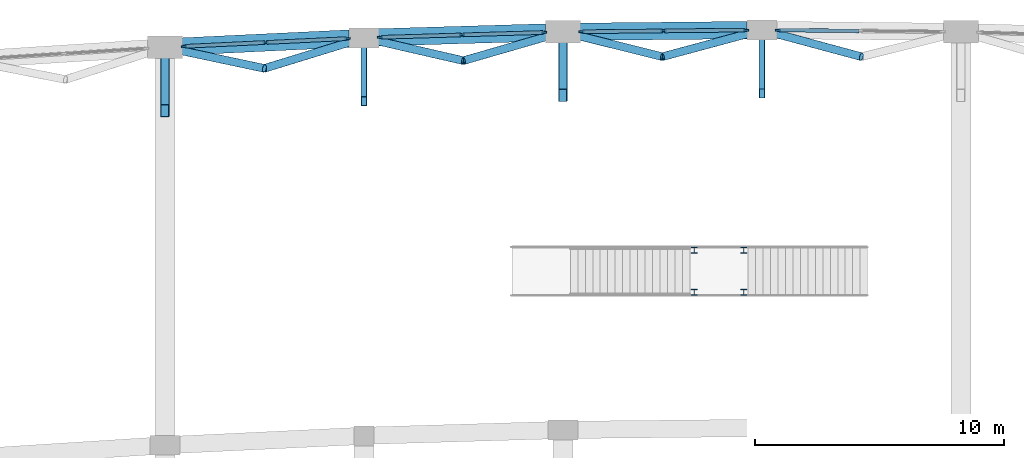
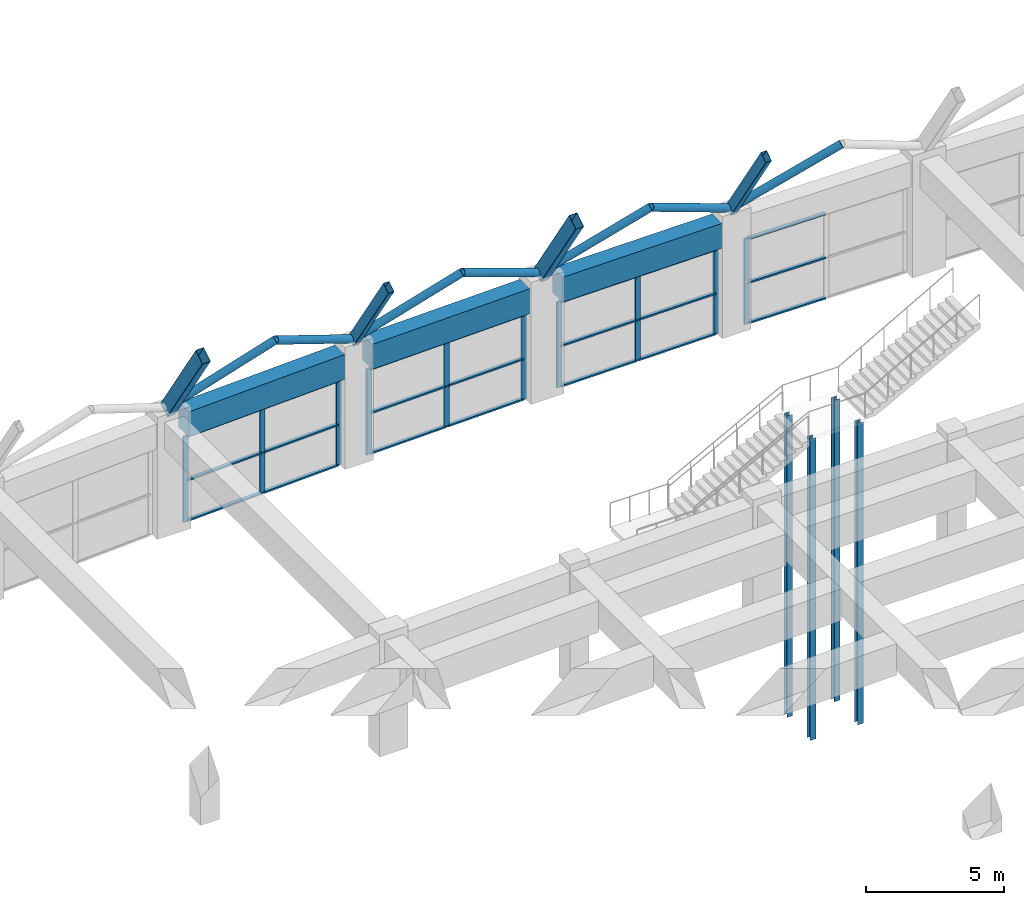
# One storey, part 30 of 69: 42 members, 7 beams, 4 elements without a shape of their own.
"""IFC4 building model written with IfcOpenShell, lengths in metres."""

from ifc_helpers import new_model, si_unit, direction, frame, origin, origin_2d, place, context, subcontext, project, spatial, rectangle, hollow_rectangle, hollow_circle, i_section, extrude, material, material_profile, profile_set, type_object, element, aggregate, save


model = new_model("IFC4")

# Units and contexts
model_context = context("Model", 3, precision=1e-05, world=origin(), true_north=direction((0.0, 1.0)))
body_context = subcontext(model_context, "Body", "Model", "MODEL_VIEW")
ifc_project = project(units=[si_unit("LENGTHUNIT", "METRE"), si_unit("AREAUNIT", "SQUARE_METRE"), si_unit("VOLUMEUNIT", "CUBIC_METRE"), si_unit("PLANEANGLEUNIT", "RADIAN"), si_unit("MASSUNIT", "GRAM", prefix="KILO")], contexts=[model_context])

# Site, building, storey
site_placement = place(None, origin())
site = spatial("IfcSite", under=ifc_project, at=site_placement, CompositionType="ELEMENT")
building_placement = place(site_placement, origin())
building = spatial("IfcBuilding", under=site, at=building_placement, Name="Kenh Van Central Station", CompositionType="ELEMENT")
storey_placement = place(building_placement, frame((0.0, 0.0, 5.39990234375)))
storey = spatial("IfcBuildingStorey", under=building, at=storey_placement, Name="L01", CompositionType="ELEMENT", Elevation=5.39990234375)

# Beams
ifc_material_1 = material(Name="Concrete C40/50", Category="concrete")
ifc_material_profile_1 = material_profile(ifc_material_1, rectangle(XDim=0.699951171875, YDim=1.10009765625, at=origin_2d()), Name="RC 700x1100")
ifc_profile_set_1 = profile_set([ifc_material_profile_1], Name="Concrete C40/50")
beam_type_1 = type_object("IfcBeamType", Name="BM-RC-700x1100", PredefinedType="BEAM", material=ifc_profile_set_1)
beam_1_placement = place(storey_placement, frame((64.689208984375, 114.53466796875, 4.530029296875), z_axis=(0.998866413286, 0.047601348815, 0.0), x_axis=(-0.047601348815, 0.998866413286, 0.0)))
element("IfcBeam", 1, at=beam_1_placement, inside=storey, type_object=beam_type_1, Name="L01 viaduct girder 1426", PredefinedType="BEAM", context=body_context, shape_type="SweptSolid", body=[
    extrude(rectangle(XDim=0.699951171875, YDim=1.10009765625, at=origin_2d()), origin(), (0.0, 0.0, 1.0), 6.72900390625),
])
beam_2_placement = place(storey_placement, frame((72.58984375, 114.900634765625, 4.530029296875), z_axis=(0.999563065499, 0.029558046112, 0.0), x_axis=(-0.029558046112, 0.999563065499, 0.0)))
element("IfcBeam", 2, at=beam_2_placement, inside=storey, type_object=beam_type_1, Name="L01 viaduct girder 1427", PredefinedType="BEAM", context=body_context, shape_type="SweptSolid", body=[
    extrude(rectangle(XDim=0.699951171875, YDim=1.10009765625, at=origin_2d()), origin(), (0.0, 0.0, 1.0), 6.723388671875),
])
beam_3_placement = place(storey_placement, frame((80.68994140625, 115.126708984375, 4.530029296875), z_axis=(0.99994973094, 0.010026743896, 0.0), x_axis=(-0.010026743896, 0.99994973094, 0.0)))
element("IfcBeam", 3, at=beam_3_placement, inside=storey, type_object=beam_type_1, Name="L01 viaduct girder 1428", PredefinedType="BEAM", context=body_context, shape_type="SweptSolid", body=[
    extrude(rectangle(XDim=0.699951171875, YDim=1.10009765625, at=origin_2d()), origin(), (0.0, 0.0, 1.0), 6.72021484375),
])
ifc_material_2 = material(Name="White fluoropolymer structural steel S355", Category="steel")
ifc_material_profile_2 = material_profile(ifc_material_2, hollow_rectangle(XDim=0.35009765625, YDim=0.60009765625, WallThickness=0.01611328125, InnerFilletRadius=0.01611328125, OuterFilletRadius=0.031982421875, at=origin_2d()), Name="RHS 600x350x16")
ifc_profile_set_2 = profile_set([ifc_material_profile_2], Name="White fluoropolymer structural steel S355")
beam_type_2 = type_object("IfcBeamType", Name="BM-VAULT-ARCH600", PredefinedType="BEAM", material=ifc_profile_set_2)
for number, where, z_axis, x_axis, name in (
    (4, (64.0, 111.949462890625, 9.161865234375), (0.0, 0.549413802018, -0.835550401922), (-1.0, 0.0, 0.0), "Vault transverse arch 060"),
    (5, (80.0, 112.5673828125, 9.161865234375), (0.0, 0.549413802018, -0.835550401922), (-1.0, 0.0, 0.0), "Vault transverse arch 082"),
):
    element("IfcBeam", number, at=place(storey_placement, frame(where, z_axis=z_axis, x_axis=x_axis)), inside=storey, type_object=beam_type_2, Name=name, PredefinedType="BEAM", context=body_context, shape_type="SweptSolid", body=[
        extrude(hollow_rectangle(XDim=0.35009765625, YDim=0.60009765625, WallThickness=0.01611328125, InnerFilletRadius=0.01611328125, OuterFilletRadius=0.031982421875, at=origin_2d()), origin(), (0.0, 0.0, 1.0), 4.645751953125),
    ])
ifc_material_profile_3 = material_profile(ifc_material_2, hollow_rectangle(XDim=0.25, YDim=0.449951171875, WallThickness=0.012451171875, InnerFilletRadius=0.012451171875, OuterFilletRadius=0.02490234375, at=origin_2d()), Name="RHS 450x250x12.5")
ifc_profile_set_3 = profile_set([ifc_material_profile_3], Name="White fluoropolymer structural steel S355")
beam_type_3 = type_object("IfcBeamType", Name="BM-VAULT-SUB450", PredefinedType="BEAM", material=ifc_profile_set_3)
for number, where, z_axis, x_axis, name in (
    (6, (72.0, 112.330810546875, 9.161865234375), (0.0, 0.5493771127, -0.835574525725), (-1.0, 0.0, 0.0), "Vault transverse arch 071"),
    (7, (88.0, 112.647705078125, 9.161865234375), (0.0, 0.5493771127, -0.835574525725), (-1.0, 0.0, 0.0), "Vault transverse arch 093"),
):
    element("IfcBeam", number, at=place(storey_placement, frame(where, z_axis=z_axis, x_axis=x_axis)), inside=storey, type_object=beam_type_3, Name=name, PredefinedType="BEAM", context=body_context, shape_type="SweptSolid", body=[
        extrude(hollow_rectangle(XDim=0.25, YDim=0.449951171875, WallThickness=0.012451171875, InnerFilletRadius=0.012451171875, OuterFilletRadius=0.02490234375, at=origin_2d()), origin(), (0.0, 0.0, 1.0), 4.645751953125),
    ])

# Curtain wall, members
ifc_material_3 = material(Name="Champagne anodised aluminium", Category="aluminium")
curtain_wall_type = type_object("IfcCurtainWallType", Name="CW-HALL-B", PredefinedType="NOTDEFINED", material=ifc_material_3)
curtain_wall_1_placement = place(storey_placement, origin())
curtain_wall_1 = element("IfcCurtainWall", 8, at=curtain_wall_1_placement, inside=storey, type_object=curtain_wall_type, Name="L01 curtain wall 084", PredefinedType="NOTDEFINED")
ifc_material_profile_4 = material_profile(ifc_material_3, rectangle(XDim=0.080078125, YDim=0.219970703125, at=origin_2d()), Name="AL 80x220")
ifc_profile_set_4 = profile_set([ifc_material_profile_4], Name="Champagne anodised aluminium")
member_type_1 = type_object("IfcMemberType", Name="CWM-80x220", PredefinedType="MULLION", material=ifc_profile_set_4)
member_1_placement = place(storey_placement, frame((71.34228515625, 114.851806640625, 0.0), z_axis=(0.0, 0.0, 1.0), x_axis=(0.047600764745, -0.99886644112, 0.0)))
member_1 = element("IfcMember", 9, at=member_1_placement, type_object=member_type_1, Name="CW-02 mullion 1", PredefinedType="MULLION", context=body_context, shape_type="SweptSolid", body=[
    extrude(rectangle(XDim=0.080078125, YDim=0.219970703125, at=origin_2d()), origin(), (0.0, 0.0, 1.0), 3.800048828125),
])
member_2_placement = place(storey_placement, frame((68.051025390625, 114.695068359375, 0.0), z_axis=(0.0, 0.0, 1.0), x_axis=(0.047600764745, -0.99886644112, 0.0)))
member_2 = element("IfcMember", 10, at=member_2_placement, type_object=member_type_1, Name="CW-02 mullion 2", PredefinedType="MULLION", context=body_context, shape_type="SweptSolid", body=[
    extrude(rectangle(XDim=0.080078125, YDim=0.219970703125, at=origin_2d()), origin(), (0.0, 0.0, 1.0), 3.800048828125),
])
member_3_placement = place(storey_placement, frame((64.759765625, 114.5380859375, 0.0), z_axis=(0.0, 0.0, 1.0), x_axis=(0.047600764745, -0.99886644112, 0.0)))
member_3 = element("IfcMember", 11, at=member_3_placement, type_object=member_type_1, Name="CW-02 mullion 3", PredefinedType="MULLION", context=body_context, shape_type="SweptSolid", body=[
    extrude(rectangle(XDim=0.080078125, YDim=0.219970703125, at=origin_2d()), origin(), (0.0, 0.0, 1.0), 3.800048828125),
])

curtain_wall_2_placement = place(storey_placement, origin())
curtain_wall_2 = element("IfcCurtainWall", 12, at=curtain_wall_2_placement, inside=storey, type_object=curtain_wall_type, Name="L01 curtain wall 086", PredefinedType="NOTDEFINED")
member_4_placement = place(storey_placement, frame((79.247314453125, 115.097412109375, 0.0), z_axis=(0.0, 0.0, 1.0), x_axis=(0.029570645876, -0.999562692832, 0.0)))
member_4 = element("IfcMember", 13, at=member_4_placement, type_object=member_type_1, Name="CW-02 mullion 1", PredefinedType="MULLION", context=body_context, shape_type="SweptSolid", body=[
    extrude(rectangle(XDim=0.080078125, YDim=0.219970703125, at=origin_2d()), origin(), (0.0, 0.0, 1.0), 3.800048828125),
])
member_5_placement = place(storey_placement, frame((75.94921875, 115.0, 0.0), z_axis=(0.0, 0.0, 1.0), x_axis=(0.029570645876, -0.999562692832, 0.0)))
member_5 = element("IfcMember", 14, at=member_5_placement, type_object=member_type_1, Name="CW-02 mullion 2", PredefinedType="MULLION", context=body_context, shape_type="SweptSolid", body=[
    extrude(rectangle(XDim=0.080078125, YDim=0.219970703125, at=origin_2d()), origin(), (0.0, 0.0, 1.0), 3.800048828125),
])
member_6_placement = place(storey_placement, frame((72.6513671875, 114.90234375, 0.0), z_axis=(0.0, 0.0, 1.0), x_axis=(0.029570645876, -0.999562692832, 0.0)))
member_6 = element("IfcMember", 15, at=member_6_placement, type_object=member_type_1, Name="CW-02 mullion 3", PredefinedType="MULLION", context=body_context, shape_type="SweptSolid", body=[
    extrude(rectangle(XDim=0.080078125, YDim=0.219970703125, at=origin_2d()), origin(), (0.0, 0.0, 1.0), 3.800048828125),
])

curtain_wall_3_placement = place(storey_placement, origin())
curtain_wall_3 = element("IfcCurtainWall", 16, at=curtain_wall_3_placement, inside=storey, type_object=curtain_wall_type, Name="L01 curtain wall 088", PredefinedType="NOTDEFINED")
member_7_placement = place(storey_placement, frame((87.356201171875, 115.193603515625, 0.0), z_axis=(0.0, 0.0, 1.0), x_axis=(0.010011901592, -0.999949879657, 0.0)))
member_7 = element("IfcMember", 17, at=member_7_placement, type_object=member_type_1, Name="CW-02 mullion 1", PredefinedType="MULLION", context=body_context, shape_type="SweptSolid", body=[
    extrude(rectangle(XDim=0.080078125, YDim=0.219970703125, at=origin_2d()), origin(), (0.0, 0.0, 1.0), 3.800048828125),
])
member_8_placement = place(storey_placement, frame((84.05029296875, 115.160400390625, 0.0), z_axis=(0.0, 0.0, 1.0), x_axis=(0.010011901592, -0.999949879657, 0.0)))
member_8 = element("IfcMember", 18, at=member_8_placement, type_object=member_type_1, Name="CW-02 mullion 2", PredefinedType="MULLION", context=body_context, shape_type="SweptSolid", body=[
    extrude(rectangle(XDim=0.080078125, YDim=0.219970703125, at=origin_2d()), origin(), (0.0, 0.0, 1.0), 3.800048828125),
])
member_9_placement = place(storey_placement, frame((80.744384765625, 115.127197265625, 0.0), z_axis=(0.0, 0.0, 1.0), x_axis=(0.010011901592, -0.999949879657, 0.0)))
member_9 = element("IfcMember", 19, at=member_9_placement, type_object=member_type_1, Name="CW-02 mullion 3", PredefinedType="MULLION", context=body_context, shape_type="SweptSolid", body=[
    extrude(rectangle(XDim=0.080078125, YDim=0.219970703125, at=origin_2d()), origin(), (0.0, 0.0, 1.0), 3.800048828125),
])

# Curtain wall, member
curtain_wall_4_placement = place(storey_placement, origin())
curtain_wall_4 = element("IfcCurtainWall", 20, at=curtain_wall_4_placement, inside=storey, type_object=curtain_wall_type, Name="L01 curtain wall 090", PredefinedType="NOTDEFINED")
member_10_placement = place(storey_placement, frame((88.643798828125, 115.193603515625, 0.0), z_axis=(0.0, 0.0, 1.0), x_axis=(-0.010011901592, -0.999949879657, 0.0)))
member_10 = element("IfcMember", 21, at=member_10_placement, type_object=member_type_1, Name="CW-02 mullion 3", PredefinedType="MULLION", context=body_context, shape_type="SweptSolid", body=[
    extrude(rectangle(XDim=0.080078125, YDim=0.219970703125, at=origin_2d()), origin(), (0.0, 0.0, 1.0), 3.800048828125),
])

# Member
ifc_material_profile_5 = material_profile(ifc_material_3, rectangle(XDim=0.14990234375, YDim=0.070068359375, at=origin_2d()), Name="AL 150x70")
ifc_profile_set_5 = profile_set([ifc_material_profile_5], Name="Champagne anodised aluminium")
member_type_2 = type_object("IfcMemberType", Name="CWT-150x70", PredefinedType="USERDEFINED", material=ifc_profile_set_5)
member_11_placement = place(storey_placement, frame((71.302490234375, 114.849853515625, 0.03515625), z_axis=(-0.998865903203, -0.047612051187, 0.0), x_axis=(0.047612051187, -0.998865903203, 0.0)))
member_11 = element("IfcMember", 22, at=member_11_placement, type_object=member_type_2, Name="CW-02 transom 1.1", ObjectType="TRANSOM", PredefinedType="USERDEFINED", context=body_context, shape_type="SweptSolid", body=[
    extrude(rectangle(XDim=0.14990234375, YDim=0.070068359375, at=origin_2d()), origin(), (0.0, 0.0, 1.0), 3.215087890625),
])

member_12_placement = place(storey_placement, frame((71.302490234375, 114.849853515625, 1.82421875), z_axis=(-0.998865903203, -0.047612051187, 0.0), x_axis=(0.047612051187, -0.998865903203, 0.0)))
member_12 = element("IfcMember", 23, at=member_12_placement, type_object=member_type_2, Name="CW-02 transom 1.2", ObjectType="TRANSOM", PredefinedType="USERDEFINED", context=body_context, shape_type="SweptSolid", body=[
    extrude(rectangle(XDim=0.14990234375, YDim=0.070068359375, at=origin_2d()), origin(), (0.0, 0.0, 1.0), 3.215087890625),
])

member_13_placement = place(storey_placement, frame((71.302490234375, 114.849853515625, 3.76513671875), z_axis=(-0.998865903203, -0.047612051187, 0.0), x_axis=(0.047612051187, -0.998865903203, 0.0)))
member_13 = element("IfcMember", 24, at=member_13_placement, type_object=member_type_2, Name="CW-02 transom 1.3", ObjectType="TRANSOM", PredefinedType="USERDEFINED", context=body_context, shape_type="SweptSolid", body=[
    extrude(rectangle(XDim=0.14990234375, YDim=0.070068359375, at=origin_2d()), origin(), (0.0, 0.0, 1.0), 3.215087890625),
])

member_14_placement = place(storey_placement, frame((68.010986328125, 114.693115234375, 0.03515625), z_axis=(-0.998865731043, -0.047615662842, 0.0), x_axis=(0.047615662842, -0.998865731043, 0.0)))
member_14 = element("IfcMember", 25, at=member_14_placement, type_object=member_type_2, Name="CW-02 transom 2.1", ObjectType="TRANSOM", PredefinedType="USERDEFINED", context=body_context, shape_type="SweptSolid", body=[
    extrude(rectangle(XDim=0.14990234375, YDim=0.070068359375, at=origin_2d()), origin(), (0.0, 0.0, 1.0), 3.21484375),
])

member_15_placement = place(storey_placement, frame((68.010986328125, 114.693115234375, 1.82421875), z_axis=(-0.998865731043, -0.047615662842, 0.0), x_axis=(0.047615662842, -0.998865731043, 0.0)))
member_15 = element("IfcMember", 26, at=member_15_placement, type_object=member_type_2, Name="CW-02 transom 2.2", ObjectType="TRANSOM", PredefinedType="USERDEFINED", context=body_context, shape_type="SweptSolid", body=[
    extrude(rectangle(XDim=0.14990234375, YDim=0.070068359375, at=origin_2d()), origin(), (0.0, 0.0, 1.0), 3.21484375),
])

member_16_placement = place(storey_placement, frame((68.010986328125, 114.693115234375, 3.76513671875), z_axis=(-0.998865731043, -0.047615662842, 0.0), x_axis=(0.047615662842, -0.998865731043, 0.0)))
member_16 = element("IfcMember", 27, at=member_16_placement, type_object=member_type_2, Name="CW-02 transom 2.3", ObjectType="TRANSOM", PredefinedType="USERDEFINED", context=body_context, shape_type="SweptSolid", body=[
    extrude(rectangle(XDim=0.14990234375, YDim=0.070068359375, at=origin_2d()), origin(), (0.0, 0.0, 1.0), 3.21484375),
])

aggregate(curtain_wall_1, [member_1, member_2, member_3, member_11, member_12, member_13, member_14, member_15, member_16])

member_17_placement = place(storey_placement, frame((79.207275390625, 115.096435546875, 0.03515625), z_axis=(-0.999562561041, -0.029575100433, 0.0), x_axis=(0.029575100433, -0.999562561041, 0.0)))
member_17 = element("IfcMember", 28, at=member_17_placement, type_object=member_type_2, Name="CW-02 transom 1.1", ObjectType="TRANSOM", PredefinedType="USERDEFINED", context=body_context, shape_type="SweptSolid", body=[
    extrude(rectangle(XDim=0.14990234375, YDim=0.070068359375, at=origin_2d()), origin(), (0.0, 0.0, 1.0), 3.219482421875),
])

member_18_placement = place(storey_placement, frame((79.207275390625, 115.096435546875, 1.82421875), z_axis=(-0.999562561041, -0.029575100433, 0.0), x_axis=(0.029575100433, -0.999562561041, 0.0)))
member_18 = element("IfcMember", 29, at=member_18_placement, type_object=member_type_2, Name="CW-02 transom 1.2", ObjectType="TRANSOM", PredefinedType="USERDEFINED", context=body_context, shape_type="SweptSolid", body=[
    extrude(rectangle(XDim=0.14990234375, YDim=0.070068359375, at=origin_2d()), origin(), (0.0, 0.0, 1.0), 3.219482421875),
])

member_19_placement = place(storey_placement, frame((79.207275390625, 115.096435546875, 3.76513671875), z_axis=(-0.999562561041, -0.029575100433, 0.0), x_axis=(0.029575100433, -0.999562561041, 0.0)))
member_19 = element("IfcMember", 30, at=member_19_placement, type_object=member_type_2, Name="CW-02 transom 1.3", ObjectType="TRANSOM", PredefinedType="USERDEFINED", context=body_context, shape_type="SweptSolid", body=[
    extrude(rectangle(XDim=0.14990234375, YDim=0.070068359375, at=origin_2d()), origin(), (0.0, 0.0, 1.0), 3.219482421875),
])

member_20_placement = place(storey_placement, frame((75.909423828125, 114.998779296875, 0.03515625), z_axis=(-0.999562627364, -0.029572858798, 0.0), x_axis=(0.029572858798, -0.999562627364, 0.0)))
member_20 = element("IfcMember", 31, at=member_20_placement, type_object=member_type_2, Name="CW-02 transom 2.1", ObjectType="TRANSOM", PredefinedType="USERDEFINED", context=body_context, shape_type="SweptSolid", body=[
    extrude(rectangle(XDim=0.14990234375, YDim=0.070068359375, at=origin_2d()), origin(), (0.0, 0.0, 1.0), 3.2197265625),
])

member_21_placement = place(storey_placement, frame((75.909423828125, 114.998779296875, 1.82421875), z_axis=(-0.999562627364, -0.029572858798, 0.0), x_axis=(0.029572858798, -0.999562627364, 0.0)))
member_21 = element("IfcMember", 32, at=member_21_placement, type_object=member_type_2, Name="CW-02 transom 2.2", ObjectType="TRANSOM", PredefinedType="USERDEFINED", context=body_context, shape_type="SweptSolid", body=[
    extrude(rectangle(XDim=0.14990234375, YDim=0.070068359375, at=origin_2d()), origin(), (0.0, 0.0, 1.0), 3.2197265625),
])

member_22_placement = place(storey_placement, frame((75.909423828125, 114.998779296875, 3.76513671875), z_axis=(-0.999562627364, -0.029572858798, 0.0), x_axis=(0.029572858798, -0.999562627364, 0.0)))
member_22 = element("IfcMember", 33, at=member_22_placement, type_object=member_type_2, Name="CW-02 transom 2.3", ObjectType="TRANSOM", PredefinedType="USERDEFINED", context=body_context, shape_type="SweptSolid", body=[
    extrude(rectangle(XDim=0.14990234375, YDim=0.070068359375, at=origin_2d()), origin(), (0.0, 0.0, 1.0), 3.2197265625),
])

aggregate(curtain_wall_2, [member_4, member_5, member_6, member_17, member_18, member_19, member_20, member_21, member_22])

member_23_placement = place(storey_placement, frame((87.316162109375, 115.193115234375, 0.03515625), z_axis=(-0.999950102075, -0.009989662717, 0.0), x_axis=(0.009989662717, -0.999950102075, 0.0)))
member_23 = element("IfcMember", 34, at=member_23_placement, type_object=member_type_2, Name="CW-02 transom 1.1", ObjectType="TRANSOM", PredefinedType="USERDEFINED", context=body_context, shape_type="SweptSolid", body=[
    extrude(rectangle(XDim=0.14990234375, YDim=0.070068359375, at=origin_2d()), origin(), (0.0, 0.0, 1.0), 3.22607421875),
])

member_24_placement = place(storey_placement, frame((87.316162109375, 115.193115234375, 1.82421875), z_axis=(-0.999950102075, -0.009989662717, 0.0), x_axis=(0.009989662717, -0.999950102075, 0.0)))
member_24 = element("IfcMember", 35, at=member_24_placement, type_object=member_type_2, Name="CW-02 transom 1.2", ObjectType="TRANSOM", PredefinedType="USERDEFINED", context=body_context, shape_type="SweptSolid", body=[
    extrude(rectangle(XDim=0.14990234375, YDim=0.070068359375, at=origin_2d()), origin(), (0.0, 0.0, 1.0), 3.22607421875),
])

member_25_placement = place(storey_placement, frame((87.316162109375, 115.193115234375, 3.76513671875), z_axis=(-0.999950102075, -0.009989662717, 0.0), x_axis=(0.009989662717, -0.999950102075, 0.0)))
member_25 = element("IfcMember", 36, at=member_25_placement, type_object=member_type_2, Name="CW-02 transom 1.3", ObjectType="TRANSOM", PredefinedType="USERDEFINED", context=body_context, shape_type="SweptSolid", body=[
    extrude(rectangle(XDim=0.14990234375, YDim=0.070068359375, at=origin_2d()), origin(), (0.0, 0.0, 1.0), 3.22607421875),
])

member_26_placement = place(storey_placement, frame((84.01025390625, 115.159912109375, 0.03515625), z_axis=(-0.999950102075, -0.009989662717, 0.0), x_axis=(0.009989662717, -0.999950102075, 0.0)))
member_26 = element("IfcMember", 37, at=member_26_placement, type_object=member_type_2, Name="CW-02 transom 2.1", ObjectType="TRANSOM", PredefinedType="USERDEFINED", context=body_context, shape_type="SweptSolid", body=[
    extrude(rectangle(XDim=0.14990234375, YDim=0.070068359375, at=origin_2d()), origin(), (0.0, 0.0, 1.0), 3.22607421875),
])

member_27_placement = place(storey_placement, frame((84.01025390625, 115.159912109375, 1.82421875), z_axis=(-0.999950102075, -0.009989662717, 0.0), x_axis=(0.009989662717, -0.999950102075, 0.0)))
member_27 = element("IfcMember", 38, at=member_27_placement, type_object=member_type_2, Name="CW-02 transom 2.2", ObjectType="TRANSOM", PredefinedType="USERDEFINED", context=body_context, shape_type="SweptSolid", body=[
    extrude(rectangle(XDim=0.14990234375, YDim=0.070068359375, at=origin_2d()), origin(), (0.0, 0.0, 1.0), 3.22607421875),
])

member_28_placement = place(storey_placement, frame((84.01025390625, 115.159912109375, 3.76513671875), z_axis=(-0.999950102075, -0.009989662717, 0.0), x_axis=(0.009989662717, -0.999950102075, 0.0)))
member_28 = element("IfcMember", 39, at=member_28_placement, type_object=member_type_2, Name="CW-02 transom 2.3", ObjectType="TRANSOM", PredefinedType="USERDEFINED", context=body_context, shape_type="SweptSolid", body=[
    extrude(rectangle(XDim=0.14990234375, YDim=0.070068359375, at=origin_2d()), origin(), (0.0, 0.0, 1.0), 3.22607421875),
])

aggregate(curtain_wall_3, [member_7, member_8, member_9, member_23, member_24, member_25, member_26, member_27, member_28])

member_29_placement = place(storey_placement, frame((91.90966796875, 115.160888671875, 0.03515625), z_axis=(-0.999950102075, 0.009989662717, 0.0), x_axis=(-0.009989662717, -0.999950102075, 0.0)))
member_29 = element("IfcMember", 40, at=member_29_placement, type_object=member_type_2, Name="CW-02 transom 2.1", ObjectType="TRANSOM", PredefinedType="USERDEFINED", context=body_context, shape_type="SweptSolid", body=[
    extrude(rectangle(XDim=0.14990234375, YDim=0.070068359375, at=origin_2d()), origin(), (0.0, 0.0, 1.0), 3.22607421875),
])

member_30_placement = place(storey_placement, frame((91.90966796875, 115.160888671875, 1.82421875), z_axis=(-0.999950102075, 0.009989662717, 0.0), x_axis=(-0.009989662717, -0.999950102075, 0.0)))
member_30 = element("IfcMember", 41, at=member_30_placement, type_object=member_type_2, Name="CW-02 transom 2.2", ObjectType="TRANSOM", PredefinedType="USERDEFINED", context=body_context, shape_type="SweptSolid", body=[
    extrude(rectangle(XDim=0.14990234375, YDim=0.070068359375, at=origin_2d()), origin(), (0.0, 0.0, 1.0), 3.22607421875),
])

member_31_placement = place(storey_placement, frame((91.90966796875, 115.160888671875, 3.76513671875), z_axis=(-0.999950102075, 0.009989662717, 0.0), x_axis=(-0.009989662717, -0.999950102075, 0.0)))
member_31 = element("IfcMember", 42, at=member_31_placement, type_object=member_type_2, Name="CW-02 transom 2.3", ObjectType="TRANSOM", PredefinedType="USERDEFINED", context=body_context, shape_type="SweptSolid", body=[
    extrude(rectangle(XDim=0.14990234375, YDim=0.070068359375, at=origin_2d()), origin(), (0.0, 0.0, 1.0), 3.22607421875),
])

aggregate(curtain_wall_4, [member_10, member_29, member_30, member_31])

# Members
ifc_material_4 = material(Name="Steel S355", Category="steel")
ifc_material_profile_6 = material_profile(ifc_material_4, i_section(OverallWidth=0.239990234375, OverallDepth=0.22998046875, WebThickness=0.007568359375, FlangeThickness=0.011962890625, FilletRadius=0.02099609375, at=origin_2d()), Name="HEA 240")
ifc_profile_set_6 = profile_set([ifc_material_profile_6], Name="Steel S355")
member_type_3 = type_object("IfcMemberType", Name="MEM-ROOF-POST240", PredefinedType="POST", material=ifc_profile_set_6)
for number, where, z_axis, x_axis, name in (
    (43, (85.280029296875, 104.655029296875, -10.7998046875), (0.0, 0.0, 1.0), (1.0, 0.0, 0.0), "Island Platform 2 Central Transfer Stair mid-landing support post 11"),
    (44, (85.280029296875, 106.344970703125, -10.7998046875), (0.0, 0.0, 1.0), (1.0, 0.0, 0.0), "Island Platform 2 Central Transfer Stair mid-landing support post 12"),
    (45, (87.27001953125, 104.655029296875, -10.7998046875), (0.0, 0.0, 1.0), (1.0, 0.0, 0.0), "Island Platform 2 Central Transfer Stair mid-landing support post 21"),
    (46, (87.27001953125, 106.344970703125, -10.7998046875), (0.0, 0.0, 1.0), (1.0, 0.0, 0.0), "Island Platform 2 Central Transfer Stair mid-landing support post 22"),
):
    element("IfcMember", number, at=place(storey_placement, frame(where, z_axis=z_axis, x_axis=x_axis)), inside=storey, type_object=member_type_3, Name=name, PredefinedType="POST", context=body_context, shape_type="SweptSolid", body=[
        extrude(i_section(OverallWidth=0.239990234375, OverallDepth=0.22998046875, WebThickness=0.007568359375, FlangeThickness=0.011962890625, FilletRadius=0.02099609375, at=origin_2d()), origin(), (0.0, 0.0, 1.0), 13.349853515625),
    ])
ifc_material_profile_7 = material_profile(ifc_material_2, hollow_circle(Radius=0.161865234375, WallThickness=0.010009765625, at=origin_2d()), Name="CHS 323.9x10")
ifc_profile_set_7 = profile_set([ifc_material_profile_7], Name="White fluoropolymer structural steel S355")
member_type_4 = type_object("IfcMemberType", Name="MEM-VAULT-CHD324", PredefinedType="CHORD", material=ifc_profile_set_7)
member_32_placement = place(storey_placement, frame((64.0, 114.501953125, 5.340087890625), z_axis=(0.871187207481, -0.184669993383, 0.454895419922), x_axis=(0.207367422574, 0.978263130275, 0.0)))
element("IfcMember", 47, at=member_32_placement, inside=storey, type_object=member_type_4, Name="Vault diamond grid member 0214", PredefinedType="CHORD", context=body_context, shape_type="SweptSolid", body=[
    extrude(hollow_circle(Radius=0.161865234375, WallThickness=0.010009765625, at=origin_2d()), origin(), (0.0, 0.0, 1.0), 4.591552734375),
])
member_33_placement = place(storey_placement, frame((68.0, 113.654052734375, 7.4287109375), z_axis=(0.855279045424, 0.26278532194, -0.446588881446), x_axis=(-0.293700443426, 0.955897509951, 0.0)))
element("IfcMember", 48, at=member_33_placement, inside=storey, type_object=member_type_4, Name="Vault diamond grid member 0235", PredefinedType="CHORD", context=body_context, shape_type="SweptSolid", body=[
    extrude(hollow_circle(Radius=0.161865234375, WallThickness=0.010009765625, at=origin_2d()), origin(), (0.0, 0.0, 1.0), 4.6767578125),
])
member_34_placement = place(storey_placement, frame((72.0, 114.883056640625, 5.340087890625), z_axis=(0.868632612349, -0.199397415469, 0.453561523355), x_axis=(0.223734099144, 0.974650220787, 0.0)))
element("IfcMember", 49, at=member_34_placement, inside=storey, type_object=member_type_4, Name="Vault diamond grid member 0258", PredefinedType="CHORD", context=body_context, shape_type="SweptSolid", body=[
    extrude(hollow_circle(Radius=0.161865234375, WallThickness=0.010009765625, at=origin_2d()), origin(), (0.0, 0.0, 1.0), 4.60498046875),
])
member_35_placement = place(storey_placement, frame((76.0, 113.96484375, 7.4287109375), z_axis=(0.858748047053, 0.247969788245, -0.448400240633), x_axis=(-0.277422986705, 0.960747878711, 0.0)))
element("IfcMember", 50, at=member_35_placement, inside=storey, type_object=member_type_4, Name="Vault diamond grid member 0279", PredefinedType="CHORD", context=body_context, shape_type="SweptSolid", body=[
    extrude(hollow_circle(Radius=0.161865234375, WallThickness=0.010009765625, at=origin_2d()), origin(), (0.0, 0.0, 1.0), 4.657958984375),
])
member_36_placement = place(storey_placement, frame((80.0, 115.119873046875, 5.340087890625), z_axis=(0.865614811271, -0.215452709983, 0.451985761134), x_axis=(0.241532101992, 0.970392829584, 0.0)))
element("IfcMember", 51, at=member_36_placement, inside=storey, type_object=member_type_4, Name="Vault diamond grid member 0302", PredefinedType="CHORD", context=body_context, shape_type="SweptSolid", body=[
    extrude(hollow_circle(Radius=0.161865234375, WallThickness=0.010009765625, at=origin_2d()), origin(), (0.0, 0.0, 1.0), 4.62109375),
])
for number, where, z_axis, x_axis, name in (
    (52, (84.0, 114.124267578125, 7.4287109375), (0.862272417784, 0.231883073288, -0.450240511117), (-0.259694447664, 0.965690837614, 0.0), "Vault diamond grid member 0323"),
    (53, (88.0, 115.199951171875, 5.340087890625), (0.862272417784, -0.231883073288, 0.450240511117), (0.259694447664, 0.965690837614, 0.0), "Vault diamond grid member 0346"),
):
    element("IfcMember", number, at=place(storey_placement, frame(where, z_axis=z_axis, x_axis=x_axis)), inside=storey, type_object=member_type_4, Name=name, PredefinedType="CHORD", context=body_context, shape_type="SweptSolid", body=[
        extrude(hollow_circle(Radius=0.161865234375, WallThickness=0.010009765625, at=origin_2d()), origin(), (0.0, 0.0, 1.0), 4.638916015625),
    ])

save(model, "model.ifc")
